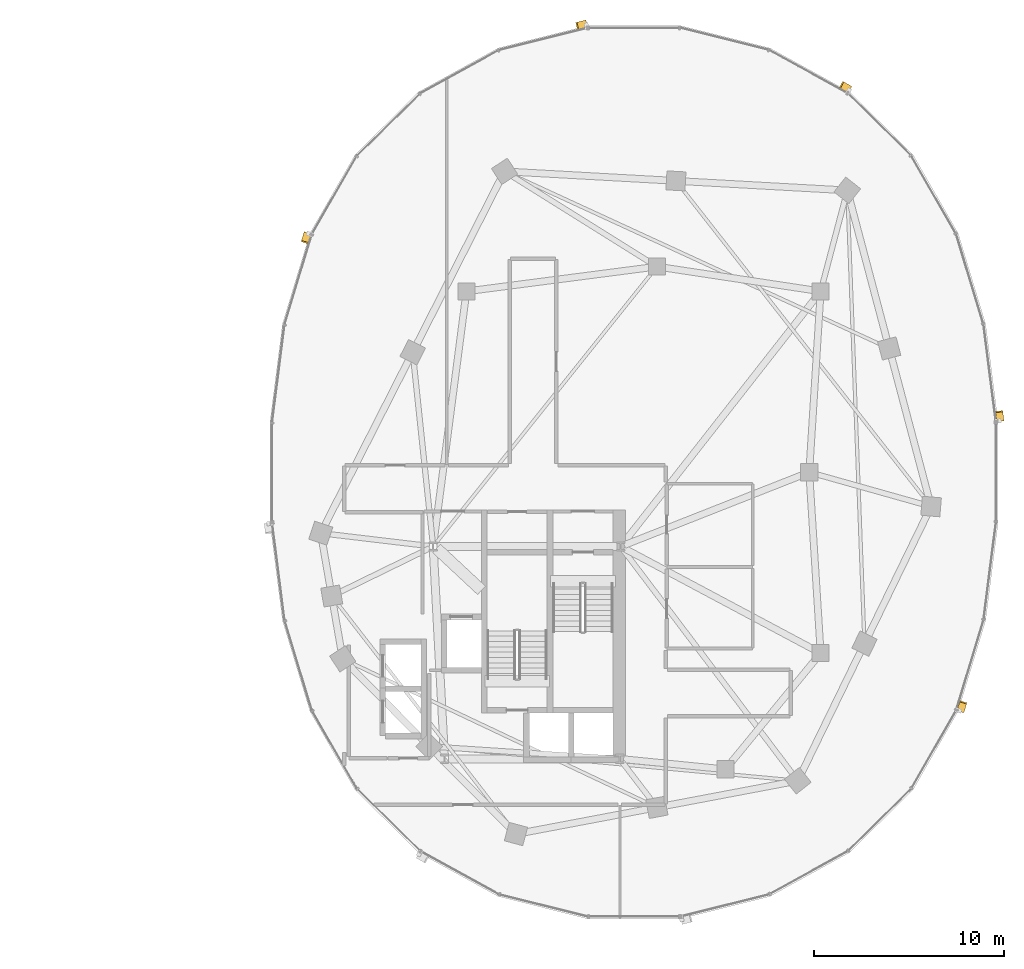
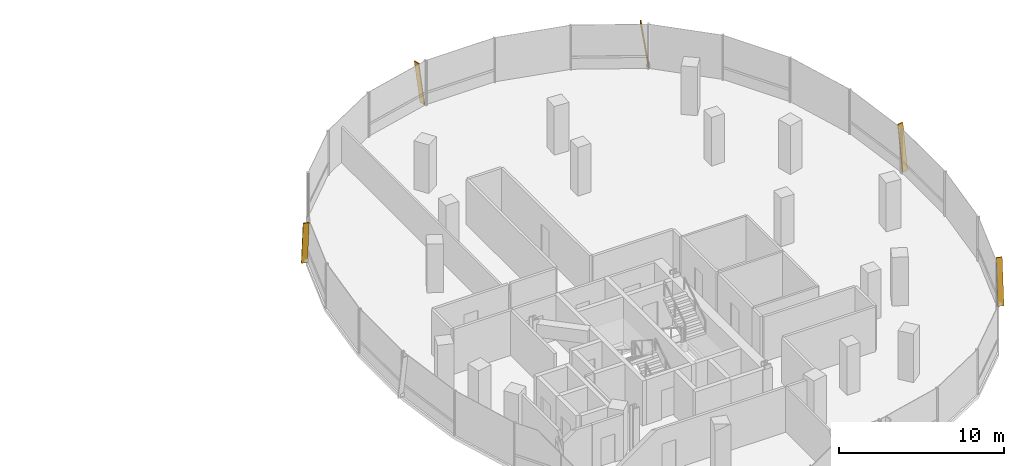
# One storey, part 21 of 21: 5 shading devices.
"""IFC4 building model written with IfcOpenShell, lengths in metres."""

import ifcopenshell
import ifcopenshell.guid

model = None  # the IFC model being written
_history = None  # IfcOwnerHistory: only IFC2X3 demands one
_inside = {}  # id of a spatial element -> (the spatial element, [elements in it])
_under = {}  # id of a project, library or spatial element -> (it, [spatial elements below it])
_declared = {}  # id of a project -> (the project, [libraries it declares])
_typed = {}  # id of a type object -> (the type object, [elements of that type])
_made_of = {}  # id of a material, layer set ... -> (it, [elements and type objects made of it])


def new_model(schema):
    """Start an empty IFC model of exactly this schema.

    Asked for "IFC4X3", IfcOpenShell would pick the latest addendum, in which some entities
    have other attributes; the version numbers below select the first issue.
    IFC2X3 requires an IfcOwnerHistory on every rooted entity: one is made here for all.
    """
    global model, _history
    if schema == "IFC4X3":
        model = ifcopenshell.file(schema_version=(4, 3, 0, 0))
    else:
        model = ifcopenshell.file(schema=schema)
    _inside.clear()
    _under.clear()
    _declared.clear()
    _typed.clear()
    _made_of.clear()
    _history = None
    if model.schema == "IFC2X3":
        org = make("IfcOrganization", Name="unknown")
        user = make(
            "IfcPersonAndOrganization",
            ThePerson=make("IfcPerson", FamilyName="unknown"),
            TheOrganization=org,
        )
        app = make(
            "IfcApplication",
            ApplicationDeveloper=org,
            Version="unknown",
            ApplicationFullName="unknown",
            ApplicationIdentifier="unknown",
        )
        _history = make(
            "IfcOwnerHistory",
            OwningUser=user,
            OwningApplication=app,
            ChangeAction="ADDED",
            CreationDate=0,
        )
    return model


def make(cls, **values):
    """One entity of the class cls with the attributes given. An attribute that is None is left unset."""
    return model.create_entity(
        cls, **{name: value for name, value in values.items() if value is not None}
    )


def rooted(cls, **values):
    """An entity with a GlobalId (a new one), such as an element, a storey or a relation."""
    return make(cls, GlobalId=ifcopenshell.guid.new(), OwnerHistory=_history, **values)


def si_unit(unit_type, name, prefix=None):
    """IfcSIUnit, for example si_unit("LENGTHUNIT", "METRE", prefix="MILLI")."""
    return make("IfcSIUnit", UnitType=unit_type, Prefix=prefix, Name=name)


def assignment(units):
    """IfcUnitAssignment: the units of a project."""
    return None if units is None else make("IfcUnitAssignment", Units=units)


def point(xyz):
    """IfcCartesianPoint."""
    return None if xyz is None else make("IfcCartesianPoint", Coordinates=xyz)


def direction(xyz):
    """IfcDirection."""
    return None if xyz is None else make("IfcDirection", DirectionRatios=xyz)


def frame(location, z_axis=None, x_axis=None):
    """IfcAxis2Placement3D, a coordinate frame: its origin and axes. An axis left out is left unset."""
    return make(
        "IfcAxis2Placement3D",
        Location=point(location),
        Axis=direction(z_axis),
        RefDirection=direction(x_axis),
    )


def frame_2d(location, x_axis=None):
    """IfcAxis2Placement2D, a coordinate frame in the plane: its origin and x axis."""
    return make(
        "IfcAxis2Placement2D", Location=point(location), RefDirection=direction(x_axis)
    )


def origin():
    """The frame at (0, 0, 0) with its axes left unset."""
    return frame((0.0, 0.0, 0.0))


def origin_2d():
    """The frame at (0, 0) in the plane with its x axis left unset."""
    return frame_2d((0.0, 0.0))


def place(relative_to, where):
    """IfcLocalPlacement: puts the frame where relative to a parent placement (None: the world)."""
    return make(
        "IfcLocalPlacement", PlacementRelTo=relative_to, RelativePlacement=where
    )


def context(
    kind, dimensions, precision=None, world=None, true_north=None, identifier=None
):
    """IfcGeometricRepresentationContext, for example the 3D "Model" context."""
    return make(
        "IfcGeometricRepresentationContext",
        ContextIdentifier=identifier,
        ContextType=kind,
        CoordinateSpaceDimension=dimensions,
        Precision=precision,
        WorldCoordinateSystem=world,
        TrueNorth=true_north,
    )


def subcontext(parent, identifier, kind, view, scale=None):
    """IfcGeometricRepresentationSubContext, for example "Body" below "Model"."""
    return make(
        "IfcGeometricRepresentationSubContext",
        ContextIdentifier=identifier,
        ContextType=kind,
        ParentContext=parent,
        TargetScale=scale,
        TargetView=view,
    )


def project(units=None, contexts=None):
    """IfcProject with its units and contexts."""
    return rooted(
        "IfcProject",
        Name="project",
        RepresentationContexts=contexts,
        UnitsInContext=assignment(units),
    )


def spatial(cls, under=None, at=None, **own):
    """A site, building, storey or space (cls), placed at a placement, below another one or the project."""
    s = rooted(cls, ObjectPlacement=at, **own)
    if under is not None:
        _under.setdefault(under.id(), (under, []))[1].append(s)
    return s


def profile(cls, at=None, kind="AREA", **sizes):
    """A parametric profile (cls). Its sizes go by their IFC names, for example OverallWidth=200.0."""
    return make(cls, ProfileType=kind, Position=at, **sizes)


def rectangle(**sizes):
    """IfcRectangleProfileDef."""
    return profile("IfcRectangleProfileDef", **sizes)


def extrude(swept, where, along, depth):
    """IfcExtrudedAreaSolid: the profile swept, set in the frame where, extruded along a direction by depth."""
    return make(
        "IfcExtrudedAreaSolid",
        SweptArea=swept,
        Position=where,
        ExtrudedDirection=direction(along),
        Depth=depth,
    )


def shape(context_of_items, identifier, shape_type, items):
    """IfcShapeRepresentation: the items that make up one representation, for example the "Body"."""
    return make(
        "IfcShapeRepresentation",
        ContextOfItems=context_of_items,
        RepresentationIdentifier=identifier,
        RepresentationType=shape_type,
        Items=items,
    )


def material(Name=None, Category=None):
    """IfcMaterial."""
    return make("IfcMaterial", Name=Name, Category=Category)


def material_profile(
    of_material, cross_section, Name=None, Category=None, Priority=None
):
    """IfcMaterialProfile: a cross section and its material."""
    return make(
        "IfcMaterialProfile",
        Name=Name,
        Material=of_material,
        Profile=cross_section,
        Priority=Priority,
        Category=Category,
    )


def profile_set(profiles, Name=None, composite=None):
    """IfcMaterialProfileSet."""
    return make(
        "IfcMaterialProfileSet",
        Name=Name,
        MaterialProfiles=profiles,
        CompositeProfile=composite,
    )


def made_of(thing, what):
    """Note that an element or type object is made of a material, layer set ...; save() writes the relation."""
    if what is not None:
        _made_of.setdefault(what.id(), (what, []))[1].append(thing)
    return thing


def type_object(cls, material=None, **own):
    """A type object (cls), such as IfcWallType, which elements share."""
    return made_of(rooted(cls, **own), material)


def element(
    cls,
    number,
    at=None,
    inside=None,
    cuts=None,
    type_object=None,
    material=None,
    context=None,
    identifier="Body",
    shape_type=None,
    held_by="IfcProductDefinitionShape",
    body=None,
    shapes=None,
    **own,
):
    """One element of the class cls, such as IfcWall. Its Tag is "e" and its number.

    at: its placement. inside: the storey or other place that contains it. cuts: it is an
    opening in that element (IfcRelVoidsElement). A single representation is given by context,
    identifier, shape_type and body (its items); several are given by shapes. held_by: the class
    of the entity that holds the representations. save() writes the other relations.
    """
    e = rooted(cls, Tag="e%d" % number, ObjectPlacement=at, **own)
    if body is not None:
        shapes = [shape(context, identifier, shape_type, body)]
    if shapes is not None:
        e.Representation = make(held_by, Representations=shapes)
    if inside is not None:
        _inside.setdefault(inside.id(), (inside, []))[1].append(e)
    if cuts is not None:
        rooted(
            "IfcRelVoidsElement", RelatingBuildingElement=cuts, RelatedOpeningElement=e
        )
    if type_object is not None:
        _typed.setdefault(type_object.id(), (type_object, []))[1].append(e)
    return made_of(e, material)


def aggregate(whole, parts):
    """IfcRelAggregates: a whole, such as a stair, and the parts it consists of."""
    return rooted("IfcRelAggregates", RelatingObject=whole, RelatedObjects=parts)


def save(model, path):
    """Write the relations noted so far, then the file.

    IfcRelAggregates (storeys below a building ...), IfcRelContainedInSpatialStructure (elements
    in a storey), IfcRelDefinesByType, IfcRelAssociatesMaterial and IfcRelDeclares: one each for
    every whole, place, type object, material and project.
    """
    for whole, parts in _under.values():
        aggregate(whole, parts)
    for where, things in _inside.values():
        rooted(
            "IfcRelContainedInSpatialStructure",
            RelatedElements=things,
            RelatingStructure=where,
        )
    for kind, things in _typed.values():
        rooted("IfcRelDefinesByType", RelatedObjects=things, RelatingType=kind)
    for what, things in _made_of.values():
        rooted("IfcRelAssociatesMaterial", RelatedObjects=things, RelatingMaterial=what)
    for by, libraries in _declared.values():
        rooted("IfcRelDeclares", RelatingContext=by, RelatedDefinitions=libraries)
    model.write(path)


model = new_model("IFC4")

# Units and contexts
model_context = context("Model", 3, precision=1e-05, world=origin(), true_north=direction((0.0, 1.0)))
body_context = subcontext(model_context, "Body", "Model", "MODEL_VIEW")
ifc_project = project(units=[si_unit("LENGTHUNIT", "METRE"), si_unit("AREAUNIT", "SQUARE_METRE"), si_unit("VOLUMEUNIT", "CUBIC_METRE"), si_unit("PLANEANGLEUNIT", "RADIAN"), si_unit("MASSUNIT", "GRAM", prefix="KILO"), si_unit("THERMODYNAMICTEMPERATUREUNIT", "KELVIN"), si_unit("POWERUNIT", "WATT")], contexts=[model_context])

# Site, building, storey
site_placement = place(None, origin())
site = spatial("IfcSite", under=ifc_project, at=site_placement, CompositionType="ELEMENT")
building_placement = place(site_placement, origin())
building = spatial("IfcBuilding", under=site, at=building_placement, Name="Cundina Bronze Exchange", CompositionType="ELEMENT")
storey_placement = place(building_placement, frame((0.0, 0.0, 183.60009765625)))
storey = spatial("IfcBuildingStorey", under=building, at=storey_placement, Name="L48", CompositionType="ELEMENT", Elevation=183.60009765625)

# Shading devices
ifc_material = material(Name="Anodised Bronze Aluminium 6063-T6", Category="aluminium")
ifc_material_profile = material_profile(ifc_material, rectangle(XDim=0.070068359375, YDim=0.3798828125, at=origin_2d()), Name="FIN70X380", Category="aluminium")
ifc_profile_set = profile_set([ifc_material_profile], Name="Anodised Bronze Aluminium 6063-T6")
shading_device_type = type_object("IfcShadingDeviceType", Name="SHD-FIN-BRZ380", PredefinedType="USERDEFINED", material=ifc_profile_set)
for number, where, z_axis, x_axis, name in (
    (1, (51.23486328125, 2.705810546875, 0.02001953125), (-0.018339743525, 0.143624497484, 0.989462307281), (0.125329091025, -0.981492881519, 0.144790685025), "L48 Diagonal Bronze Solar Fin 1"),
    (2, (43.320068359375, 20.11181640625, 0.02001953125), (-0.1268316558, 0.069823699012, 0.989463684095), (0.86679245373, -0.477188876966, 0.144781275918), "L48 Diagonal Bronze Solar Fin 5"),
    (3, (29.48046875, 23.556396484375, 0.02001953125), (-0.140457516237, -0.035132792473, 0.989463174163), (0.959890661387, 0.240098503137, 0.14478476085), "L48 Diagonal Bronze Solar Fin 1"),
    (4, (14.848876953125, 12.5439453125, 0.02001953125), (-0.04198228089, -0.138615180062, 0.989456072773), (0.286809921927, 0.946975917662, 0.144833283649), "L48 Diagonal Bronze Solar Fin 5"),
    (5, (49.151123046875, -12.5439453125, 0.02001953125), (0.04198228089, 0.138615180062, 0.989456072773), (-0.286809921927, -0.946975917662, 0.144833283649), "L48 Diagonal Bronze Solar Fin 5"),
):
    element("IfcShadingDevice", number, at=place(storey_placement, frame(where, z_axis=z_axis, x_axis=x_axis)), inside=storey, type_object=shading_device_type, Name=name, ObjectType="FIN", PredefinedType="USERDEFINED", context=body_context, shape_type="SweptSolid", body=[
        extrude(rectangle(XDim=0.070068359375, YDim=0.3798828125, at=origin_2d()), origin(), (0.0, 0.0, 1.0), 3.314697265625),
    ])

save(model, "model.ifc")
